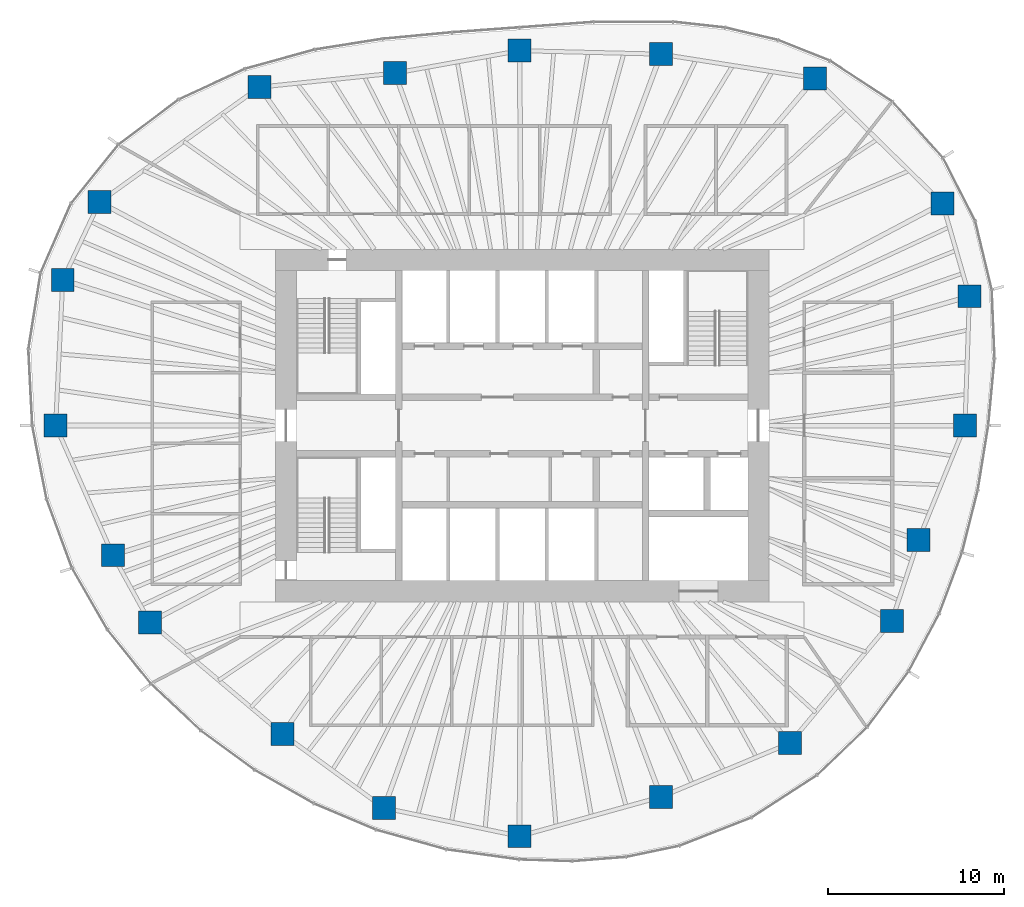
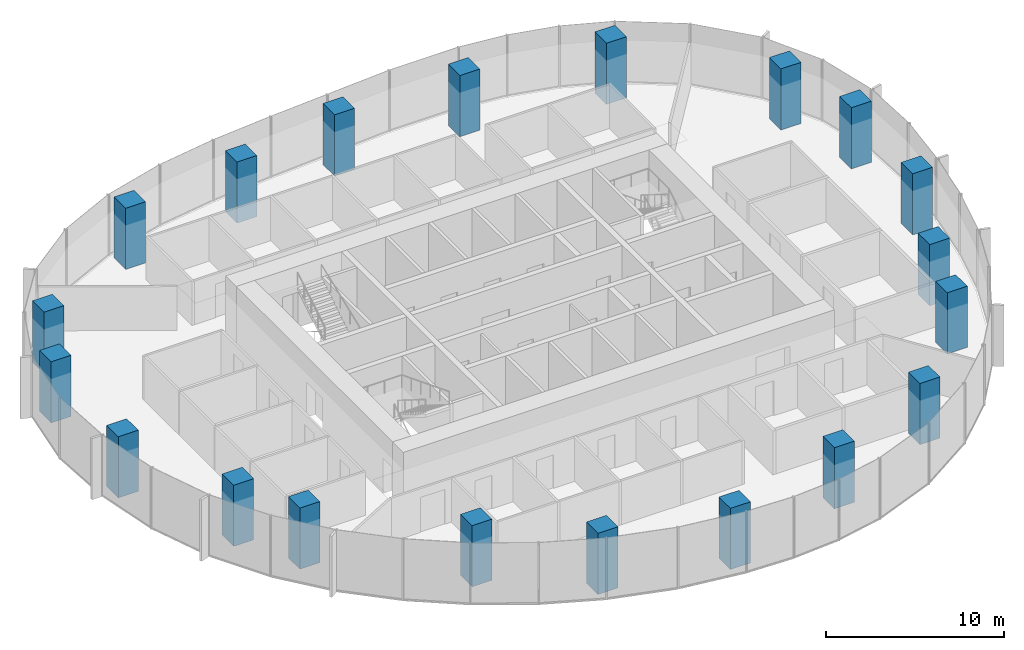
# One storey, part 1 of 12: 20 columns.
"""IFC4 building model written with IfcOpenShell, lengths in metres."""

from ifc_helpers import new_model, si_unit, direction, frame, origin, origin_2d, place, context, subcontext, project, spatial, rectangle, extrude, material, material_profile, profile_set, type_object, element, save


model = new_model("IFC4")

# Units and contexts
model_context = context("Model", 3, precision=1e-05, world=origin(), true_north=direction((0.0, 1.0)))
body_context = subcontext(model_context, "Body", "Model", "MODEL_VIEW")
ifc_project = project(units=[si_unit("LENGTHUNIT", "METRE"), si_unit("AREAUNIT", "SQUARE_METRE"), si_unit("VOLUMEUNIT", "CUBIC_METRE"), si_unit("PLANEANGLEUNIT", "RADIAN"), si_unit("MASSUNIT", "GRAM", prefix="KILO")], contexts=[model_context])

# Site, building, storey
site_placement = place(None, origin())
site = spatial("IfcSite", under=ifc_project, at=site_placement, CompositionType="ELEMENT")
building_placement = place(site_placement, origin())
building = spatial("IfcBuilding", under=site, at=building_placement, Name="Ghaith Harvest Tower", CompositionType="ELEMENT")
storey_placement = place(building_placement, frame((0.0, 0.0, 207.39990234375)))
storey = spatial("IfcBuildingStorey", under=building, at=storey_placement, Name="L45", CompositionType="ELEMENT", Elevation=207.39990234375)

# Columns
ifc_material = material(Name="Concrete C60/75", Category="concrete")
ifc_material_profile = material_profile(ifc_material, rectangle(XDim=1.300048828125, YDim=1.300048828125, at=origin_2d()), Name="RC1300X1300")
ifc_profile_set = profile_set([ifc_material_profile], Name="Concrete C60/75")
column_type = type_object("IfcColumnType", Name="TC5 RC1300X1300", PredefinedType="COLUMN", material=ifc_profile_set)
for number, where, z_axis, x_axis, name in (
    (1, (25.125, 0.0, 0.0), (0.0, 0.0, 1.0), (1.0, 0.0, 0.0), "Perimeter column C01"),
    (2, (25.3779296875, 7.3349609375, 0.0), (0.0, 0.0, 1.0), (1.0, 0.0, 0.0), "Perimeter column C02"),
    (3, (23.85205078125, 12.60693359375, 0.0), (0.0, 0.0, 1.0), (1.0, 0.0, 0.0), "Perimeter column C03"),
    (4, (16.60791015625, 19.695068359375, 0.0), (0.0, 0.0, 1.0), (1.0, 0.0, 0.0), "Perimeter column C04"),
    (5, (7.8779296875, 21.072021484375, 0.0), (0.0, 0.0, 1.0), (1.0, 0.0, 0.0), "Perimeter column C05"),
    (6, (-0.14599609375, 21.27099609375, 0.0), (0.0, 0.0, 1.0), (1.0, 0.0, 0.0), "Perimeter column C06"),
    (7, (-7.221923828125, 19.9970703125, 0.0), (0.0, 0.0, 1.0), (1.0, 0.0, 0.0), "Perimeter column C07"),
    (8, (-14.910888671875, 19.199951171875, 0.0), (0.0, 0.0, 1.0), (1.0, 0.0, 0.0), "Perimeter column C08"),
    (9, (-23.986083984375, 12.677978515625, 0.0), (0.0, 0.0, 1.0), (1.0, 0.0, 0.0), "Perimeter column C09"),
    (10, (-26.06689453125, 8.260986328125, 0.0), (0.0, 0.0, 1.0), (1.0, 0.0, 0.0), "Perimeter column C10"),
    (11, (-26.47509765625, 0.0, 0.0), (0.0, 0.0, 1.0), (1.0, 0.0, 0.0), "Perimeter column C11"),
    (12, (-23.22412109375, -7.360107421875, 0.0), (0.0, 0.0, 1.0), (1.0, 0.0, 0.0), "Perimeter column C12"),
    (13, (-21.125, -11.166015625, 0.0), (0.0, 0.0, 1.0), (1.0, 0.0, 0.0), "Perimeter column C13"),
    (14, (-13.594970703125, -17.5048828125, 0.0), (0.0, 0.0, 1.0), (1.0, 0.0, 0.0), "Perimeter column C14"),
    (15, (-7.837890625, -21.699951171875, 0.0), (0.0, 0.0, 1.0), (1.0, 0.0, 0.0), "Perimeter column C15"),
    (16, (-0.158935546875, -23.304931640625, 0.0), (0.0, 0.0, 1.0), (1.0, 0.0, 0.0), "Perimeter column C16"),
    (17, (7.8779296875, -21.072021484375, 0.0), (0.0, 0.0, 1.0), (1.0, 0.0, 0.0), "Perimeter column C17"),
    (18, (15.197998046875, -18.02294921875, 0.0), (0.0, 0.0, 1.0), (1.0, 0.0, 0.0), "Perimeter column C18"),
    (19, (20.97705078125, -11.087890625, 0.0), (0.0, 0.0, 1.0), (1.0, 0.0, 0.0), "Perimeter column C19"),
    (20, (22.485107421875, -6.4990234375, 0.0), (0.0, 0.0, 1.0), (1.0, 0.0, 0.0), "Perimeter column C20"),
):
    element("IfcColumn", number, at=place(storey_placement, frame(where, z_axis=z_axis, x_axis=x_axis)), inside=storey, type_object=column_type, Name=name, PredefinedType="COLUMN", context=body_context, shape_type="SweptSolid", body=[
        extrude(rectangle(XDim=1.300048828125, YDim=1.300048828125, at=origin_2d()), origin(), (0.0, 0.0, 1.0), 4.2001953125),
    ])

save(model, "model.ifc")
